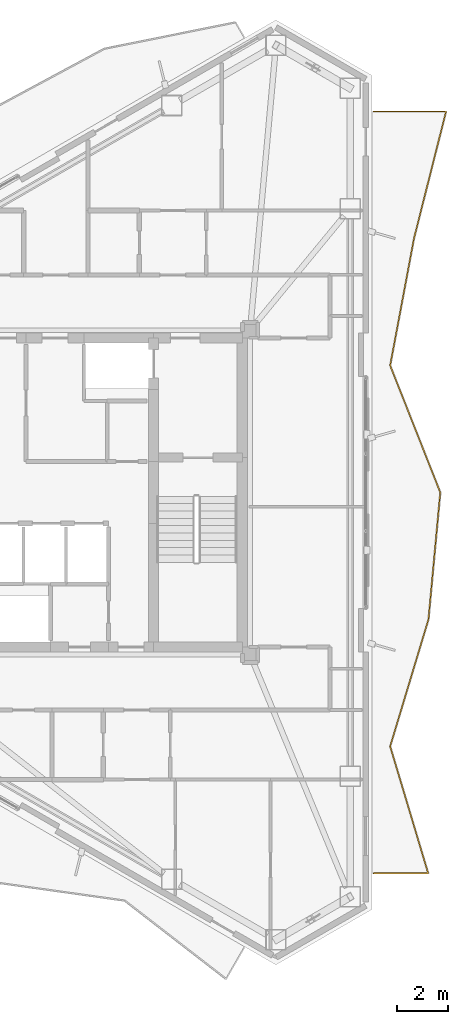
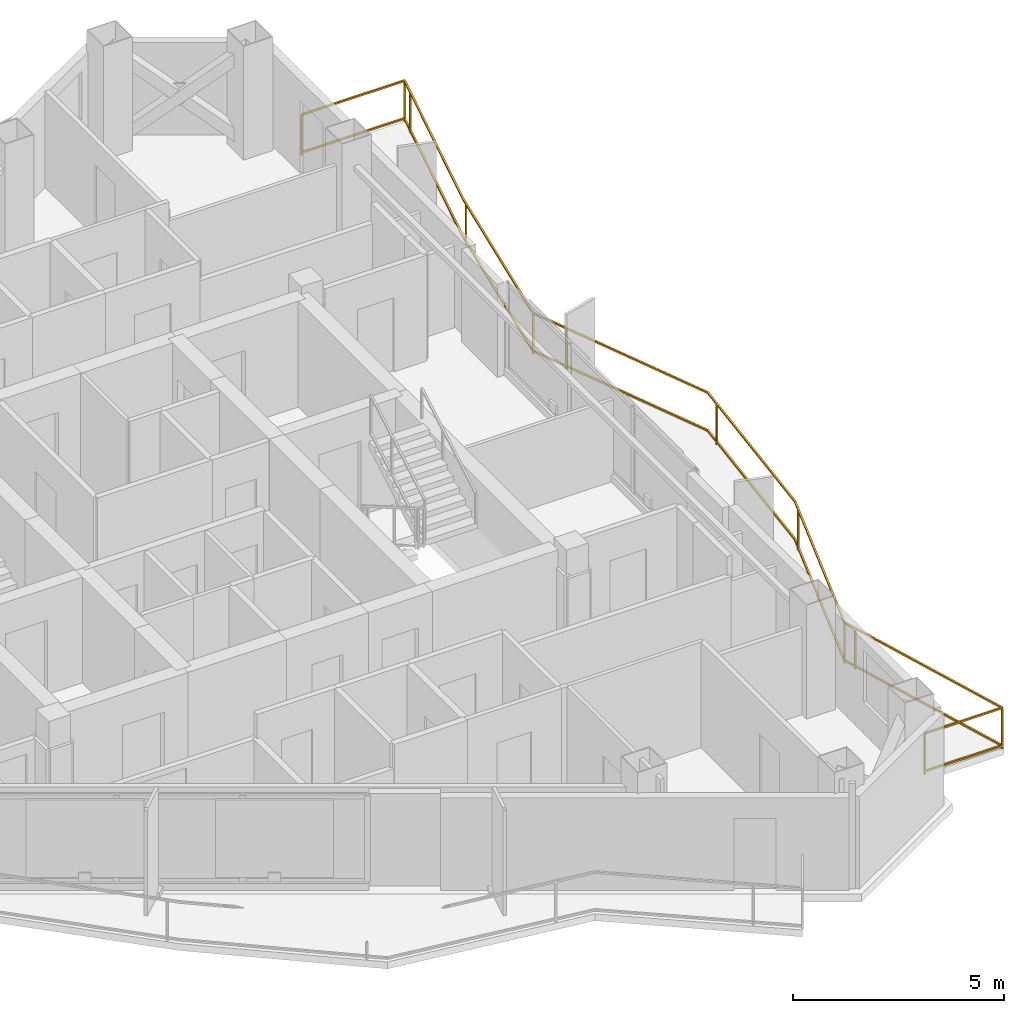
# One storey, part 22 of 22: 1 railing.
"""IFC4 building model written with IfcOpenShell, lengths in metres."""

from ifc_helpers import new_model, si_unit, direction, frame, origin, origin_2d, place, context, subcontext, project, spatial, rectangle, extrude, material, type_object, element, save


model = new_model("IFC4")

# Units and contexts
model_context = context("Model", 3, precision=1e-05, world=origin(), true_north=direction((0.0, 1.0)))
body_context = subcontext(model_context, "Body", "Model", "MODEL_VIEW")
ifc_project = project(units=[si_unit("LENGTHUNIT", "METRE"), si_unit("AREAUNIT", "SQUARE_METRE"), si_unit("VOLUMEUNIT", "CUBIC_METRE"), si_unit("PLANEANGLEUNIT", "RADIAN"), si_unit("MASSUNIT", "GRAM", prefix="KILO")], contexts=[model_context])

# Site, building, storey
site_placement = place(None, origin())
site = spatial("IfcSite", under=ifc_project, at=site_placement, CompositionType="ELEMENT")
building_placement = place(site_placement, origin())
building = spatial("IfcBuilding", under=site, at=building_placement, Name="Mersakhor Tower and Convention Hall", CompositionType="ELEMENT")
storey_placement = place(building_placement, frame((0.0, 0.0, 198.60009765625)))
storey = spatial("IfcBuildingStorey", under=building, at=storey_placement, Name="L55", CompositionType="ELEMENT", Elevation=198.60009765625)

# Railing
ifc_material = material(Name="Powder-coated galvanised steel and laminated glass balustrade", Category="steel")
railing_type = type_object("IfcRailingType", Name="RL-BAL-1200", PredefinedType="BALUSTRADE", material=ifc_material)
railing_placement = place(storey_placement, frame((40.888427734375, 11.957275390625, 0.0)))
element("IfcRailing", 1, at=railing_placement, inside=storey, type_object=railing_type, Name="L55 Sinusoidal Balcony Balustrade F2", PredefinedType="BALUSTRADE", context=body_context, shape_type="SweptSolid", body=[
    extrude(rectangle(XDim=0.048095703125, YDim=0.048095703125, at=origin_2d()), frame((0.0, 0.0, 1.17578125), z_axis=(1.0, 0.0, 0.0), x_axis=(0.0, 1.0, 0.0)), (0.0, 0.0, 1.0), 2.126953125),
    extrude(rectangle(XDim=0.048095703125, YDim=0.048095703125, at=origin_2d()), frame((0.0, 0.0, 0.080078125), z_axis=(1.0, 0.0, 0.0), x_axis=(0.0, 1.0, 0.0)), (0.0, 0.0, 1.0), 2.126953125),
    extrude(rectangle(XDim=0.048095703125, YDim=0.048095703125, at=origin_2d()), frame((2.126953125, 0.0, 1.17578125), z_axis=(-0.28695188525, 0.957944996099, 0.0), x_axis=(-0.957944996099, -0.28695188525, 0.0)), (0.0, 0.0, 1.0), 5.1474609375),
    extrude(rectangle(XDim=0.048095703125, YDim=0.048095703125, at=origin_2d()), frame((2.126953125, 0.0, 0.080078125), z_axis=(-0.28695188525, 0.957944996099, 0.0), x_axis=(-0.957944996099, -0.28695188525, 0.0)), (0.0, 0.0, 1.0), 5.1474609375),
    extrude(rectangle(XDim=0.048095703125, YDim=0.048095703125, at=origin_2d()), frame((0.64990234375, 4.930908203125, 1.17578125), z_axis=(0.288908690587, 0.957356656896, 0.0), x_axis=(-0.957356656896, 0.288908690587, 0.0)), (0.0, 0.0, 1.0), 5.150634765625),
    extrude(rectangle(XDim=0.048095703125, YDim=0.048095703125, at=origin_2d()), frame((0.64990234375, 4.930908203125, 0.080078125), z_axis=(0.288908690587, 0.957356656896, 0.0), x_axis=(-0.957356656896, 0.288908690587, 0.0)), (0.0, 0.0, 1.0), 5.150634765625),
    extrude(rectangle(XDim=0.048095703125, YDim=0.048095703125, at=origin_2d()), frame((2.137939453125, 9.86181640625, 1.17578125), z_axis=(0.092682474925, 0.99569571599, 0.0), x_axis=(-0.99569571599, 0.092682474925, 0.0)), (0.0, 0.0, 1.0), 4.9521484375),
    extrude(rectangle(XDim=0.048095703125, YDim=0.048095703125, at=origin_2d()), frame((2.137939453125, 9.86181640625, 0.080078125), z_axis=(0.092682474925, 0.99569571599, 0.0), x_axis=(-0.99569571599, 0.092682474925, 0.0)), (0.0, 0.0, 1.0), 4.9521484375),
    extrude(rectangle(XDim=0.048095703125, YDim=0.048095703125, at=origin_2d()), frame((2.596923828125, 14.792724609375, 1.17578125), z_axis=(-0.367266142201, 0.930115896431, 0.0), x_axis=(-0.930115896431, -0.367266142201, 0.0)), (0.0, 0.0, 1.0), 5.30126953125),
    extrude(rectangle(XDim=0.048095703125, YDim=0.048095703125, at=origin_2d()), frame((2.596923828125, 14.792724609375, 0.080078125), z_axis=(-0.367266142201, 0.930115896431, 0.0), x_axis=(-0.930115896431, -0.367266142201, 0.0)), (0.0, 0.0, 1.0), 5.30126953125),
    extrude(rectangle(XDim=0.048095703125, YDim=0.048095703125, at=origin_2d()), frame((0.64990234375, 19.7236328125, 1.17578125), z_axis=(0.184338484074, 0.982862820179, 0.0), x_axis=(-0.982862820179, 0.184338484074, 0.0)), (0.0, 0.0, 1.0), 5.016845703125),
    extrude(rectangle(XDim=0.048095703125, YDim=0.048095703125, at=origin_2d()), frame((0.64990234375, 19.7236328125, 0.080078125), z_axis=(0.184338484074, 0.982862820179, 0.0), x_axis=(-0.982862820179, 0.184338484074, 0.0)), (0.0, 0.0, 1.0), 5.016845703125),
    extrude(rectangle(XDim=0.048095703125, YDim=0.048095703125, at=origin_2d()), frame((1.57470703125, 24.654541015625, 1.17578125), z_axis=(0.244873042115, 0.969555152245, 0.0), x_axis=(-0.969555152245, 0.244873042115, 0.0)), (0.0, 0.0, 1.0), 5.085693359375),
    extrude(rectangle(XDim=0.048095703125, YDim=0.048095703125, at=origin_2d()), frame((1.57470703125, 24.654541015625, 0.080078125), z_axis=(0.244873042115, 0.969555152245, 0.0), x_axis=(-0.969555152245, 0.244873042115, 0.0)), (0.0, 0.0, 1.0), 5.085693359375),
    extrude(rectangle(XDim=0.048095703125, YDim=0.048095703125, at=origin_2d()), frame((2.820068359375, 29.58544921875, 1.17578125), z_axis=(-1.0, 0.0, 0.0), x_axis=(0.0, -1.0, 0.0)), (0.0, 0.0, 1.0), 2.820068359375),
    extrude(rectangle(XDim=0.048095703125, YDim=0.048095703125, at=origin_2d()), frame((2.820068359375, 29.58544921875, 0.080078125), z_axis=(-1.0, 0.0, 0.0), x_axis=(0.0, -1.0, 0.0)), (0.0, 0.0, 1.0), 2.820068359375),
    extrude(rectangle(XDim=0.0419921875, YDim=0.0419921875, at=origin_2d()), origin(), (0.0, 0.0, 1.0), 1.15185546875),
    extrude(rectangle(XDim=0.0419921875, YDim=0.0419921875, at=origin_2d()), frame((2.126953125, 0.0, 0.0)), (0.0, 0.0, 1.0), 1.15185546875),
    extrude(rectangle(XDim=0.0419921875, YDim=0.0419921875, at=origin_2d()), frame((0.74951171875, 4.59814453125, 0.0)), (0.0, 0.0, 1.0), 1.15185546875),
    extrude(rectangle(XDim=0.0419921875, YDim=0.0419921875, at=origin_2d()), frame((0.64990234375, 4.930908203125, 0.0)), (0.0, 0.0, 1.0), 1.15185546875),
    extrude(rectangle(XDim=0.0419921875, YDim=0.0419921875, at=origin_2d()), frame((2.03662109375, 9.526123046875, 0.0)), (0.0, 0.0, 1.0), 1.15185546875),
    extrude(rectangle(XDim=0.0419921875, YDim=0.0419921875, at=origin_2d()), frame((2.55029296875, 14.292236328125, 0.0)), (0.0, 0.0, 1.0), 1.15185546875),
    extrude(rectangle(XDim=0.0419921875, YDim=0.0419921875, at=origin_2d()), frame((1.018798828125, 18.78955078125, 0.0)), (0.0, 0.0, 1.0), 1.15185546875),
    extrude(rectangle(XDim=0.0419921875, YDim=0.0419921875, at=origin_2d()), frame((0.64990234375, 19.7236328125, 0.0)), (0.0, 0.0, 1.0), 1.15185546875),
    extrude(rectangle(XDim=0.0419921875, YDim=0.0419921875, at=origin_2d()), frame((1.53466796875, 24.44140625, 0.0)), (0.0, 0.0, 1.0), 1.15185546875),
    extrude(rectangle(XDim=0.0419921875, YDim=0.0419921875, at=origin_2d()), frame((2.697021484375, 29.09814453125, 0.0)), (0.0, 0.0, 1.0), 1.15185546875),
    extrude(rectangle(XDim=0.0419921875, YDim=0.0419921875, at=origin_2d()), frame((2.820068359375, 29.58544921875, 0.0)), (0.0, 0.0, 1.0), 1.15185546875),
    extrude(rectangle(XDim=0.0419921875, YDim=0.0419921875, at=origin_2d()), frame((0.0, 29.58544921875, 0.0)), (0.0, 0.0, 1.0), 1.15185546875),
])

save(model, "model.ifc")
